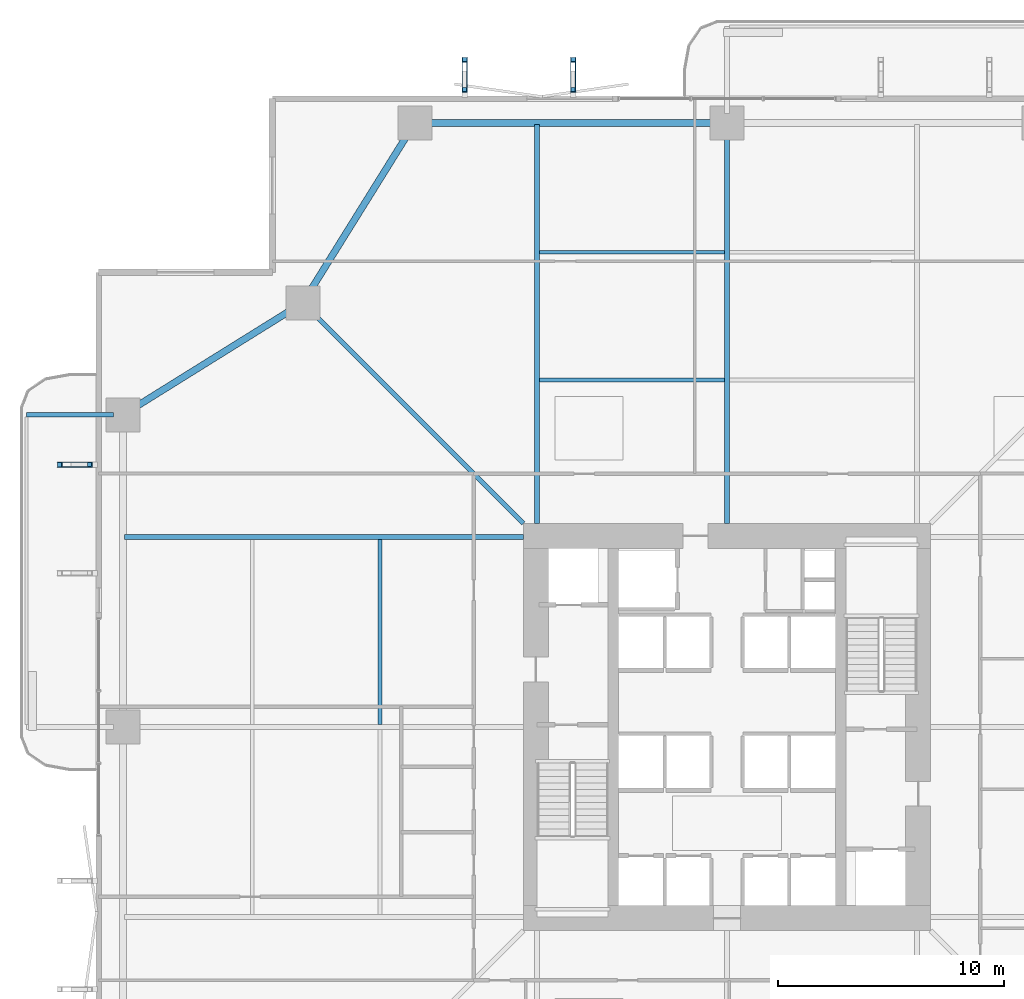
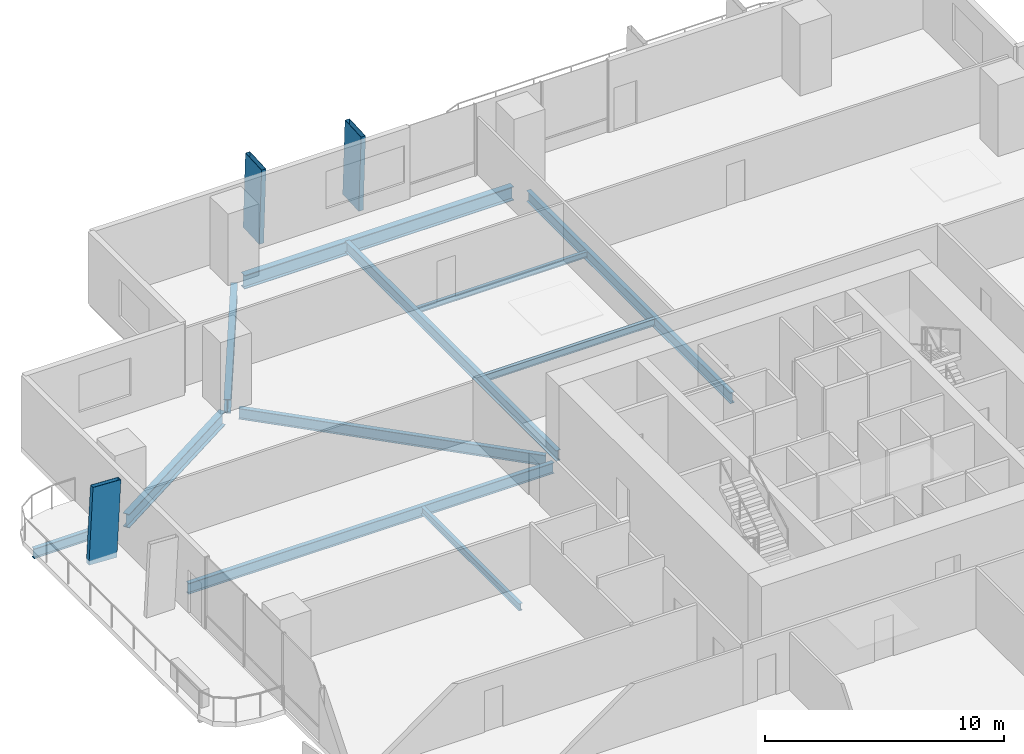
# One storey, part 10 of 23: 11 beams, 3 members.
"""IFC4 building model written with IfcOpenShell, lengths in metres."""

import ifcopenshell
import ifcopenshell.guid

model = None  # the IFC model being written
_history = None  # IfcOwnerHistory: only IFC2X3 demands one
_inside = {}  # id of a spatial element -> (the spatial element, [elements in it])
_under = {}  # id of a project, library or spatial element -> (it, [spatial elements below it])
_declared = {}  # id of a project -> (the project, [libraries it declares])
_typed = {}  # id of a type object -> (the type object, [elements of that type])
_made_of = {}  # id of a material, layer set ... -> (it, [elements and type objects made of it])


def new_model(schema):
    """Start an empty IFC model of exactly this schema.

    Asked for "IFC4X3", IfcOpenShell would pick the latest addendum, in which some entities
    have other attributes; the version numbers below select the first issue.
    IFC2X3 requires an IfcOwnerHistory on every rooted entity: one is made here for all.
    """
    global model, _history
    if schema == "IFC4X3":
        model = ifcopenshell.file(schema_version=(4, 3, 0, 0))
    else:
        model = ifcopenshell.file(schema=schema)
    _inside.clear()
    _under.clear()
    _declared.clear()
    _typed.clear()
    _made_of.clear()
    _history = None
    if model.schema == "IFC2X3":
        org = make("IfcOrganization", Name="unknown")
        user = make(
            "IfcPersonAndOrganization",
            ThePerson=make("IfcPerson", FamilyName="unknown"),
            TheOrganization=org,
        )
        app = make(
            "IfcApplication",
            ApplicationDeveloper=org,
            Version="unknown",
            ApplicationFullName="unknown",
            ApplicationIdentifier="unknown",
        )
        _history = make(
            "IfcOwnerHistory",
            OwningUser=user,
            OwningApplication=app,
            ChangeAction="ADDED",
            CreationDate=0,
        )
    return model


def make(cls, **values):
    """One entity of the class cls with the attributes given. An attribute that is None is left unset."""
    return model.create_entity(
        cls, **{name: value for name, value in values.items() if value is not None}
    )


def rooted(cls, **values):
    """An entity with a GlobalId (a new one), such as an element, a storey or a relation."""
    return make(cls, GlobalId=ifcopenshell.guid.new(), OwnerHistory=_history, **values)


def si_unit(unit_type, name, prefix=None):
    """IfcSIUnit, for example si_unit("LENGTHUNIT", "METRE", prefix="MILLI")."""
    return make("IfcSIUnit", UnitType=unit_type, Prefix=prefix, Name=name)


def assignment(units):
    """IfcUnitAssignment: the units of a project."""
    return None if units is None else make("IfcUnitAssignment", Units=units)


def point(xyz):
    """IfcCartesianPoint."""
    return None if xyz is None else make("IfcCartesianPoint", Coordinates=xyz)


def direction(xyz):
    """IfcDirection."""
    return None if xyz is None else make("IfcDirection", DirectionRatios=xyz)


def frame(location, z_axis=None, x_axis=None):
    """IfcAxis2Placement3D, a coordinate frame: its origin and axes. An axis left out is left unset."""
    return make(
        "IfcAxis2Placement3D",
        Location=point(location),
        Axis=direction(z_axis),
        RefDirection=direction(x_axis),
    )


def frame_2d(location, x_axis=None):
    """IfcAxis2Placement2D, a coordinate frame in the plane: its origin and x axis."""
    return make(
        "IfcAxis2Placement2D", Location=point(location), RefDirection=direction(x_axis)
    )


def origin():
    """The frame at (0, 0, 0) with its axes left unset."""
    return frame((0.0, 0.0, 0.0))


def origin_2d():
    """The frame at (0, 0) in the plane with its x axis left unset."""
    return frame_2d((0.0, 0.0))


def place(relative_to, where):
    """IfcLocalPlacement: puts the frame where relative to a parent placement (None: the world)."""
    return make(
        "IfcLocalPlacement", PlacementRelTo=relative_to, RelativePlacement=where
    )


def context(
    kind, dimensions, precision=None, world=None, true_north=None, identifier=None
):
    """IfcGeometricRepresentationContext, for example the 3D "Model" context."""
    return make(
        "IfcGeometricRepresentationContext",
        ContextIdentifier=identifier,
        ContextType=kind,
        CoordinateSpaceDimension=dimensions,
        Precision=precision,
        WorldCoordinateSystem=world,
        TrueNorth=true_north,
    )


def subcontext(parent, identifier, kind, view, scale=None):
    """IfcGeometricRepresentationSubContext, for example "Body" below "Model"."""
    return make(
        "IfcGeometricRepresentationSubContext",
        ContextIdentifier=identifier,
        ContextType=kind,
        ParentContext=parent,
        TargetScale=scale,
        TargetView=view,
    )


def project(units=None, contexts=None):
    """IfcProject with its units and contexts."""
    return rooted(
        "IfcProject",
        Name="project",
        RepresentationContexts=contexts,
        UnitsInContext=assignment(units),
    )


def spatial(cls, under=None, at=None, **own):
    """A site, building, storey or space (cls), placed at a placement, below another one or the project."""
    s = rooted(cls, ObjectPlacement=at, **own)
    if under is not None:
        _under.setdefault(under.id(), (under, []))[1].append(s)
    return s


def profile(cls, at=None, kind="AREA", **sizes):
    """A parametric profile (cls). Its sizes go by their IFC names, for example OverallWidth=200.0."""
    return make(cls, ProfileType=kind, Position=at, **sizes)


def hollow_rectangle(**sizes):
    """IfcRectangleHollowProfileDef."""
    return profile("IfcRectangleHollowProfileDef", **sizes)


def i_section(**sizes):
    """IfcIShapeProfileDef."""
    return profile("IfcIShapeProfileDef", **sizes)


def extrude(swept, where, along, depth):
    """IfcExtrudedAreaSolid: the profile swept, set in the frame where, extruded along a direction by depth."""
    return make(
        "IfcExtrudedAreaSolid",
        SweptArea=swept,
        Position=where,
        ExtrudedDirection=direction(along),
        Depth=depth,
    )


def shape(context_of_items, identifier, shape_type, items):
    """IfcShapeRepresentation: the items that make up one representation, for example the "Body"."""
    return make(
        "IfcShapeRepresentation",
        ContextOfItems=context_of_items,
        RepresentationIdentifier=identifier,
        RepresentationType=shape_type,
        Items=items,
    )


def material(Name=None, Category=None):
    """IfcMaterial."""
    return make("IfcMaterial", Name=Name, Category=Category)


def material_profile(
    of_material, cross_section, Name=None, Category=None, Priority=None
):
    """IfcMaterialProfile: a cross section and its material."""
    return make(
        "IfcMaterialProfile",
        Name=Name,
        Material=of_material,
        Profile=cross_section,
        Priority=Priority,
        Category=Category,
    )


def profile_set(profiles, Name=None, composite=None):
    """IfcMaterialProfileSet."""
    return make(
        "IfcMaterialProfileSet",
        Name=Name,
        MaterialProfiles=profiles,
        CompositeProfile=composite,
    )


def made_of(thing, what):
    """Note that an element or type object is made of a material, layer set ...; save() writes the relation."""
    if what is not None:
        _made_of.setdefault(what.id(), (what, []))[1].append(thing)
    return thing


def type_object(cls, material=None, **own):
    """A type object (cls), such as IfcWallType, which elements share."""
    return made_of(rooted(cls, **own), material)


def element(
    cls,
    number,
    at=None,
    inside=None,
    cuts=None,
    type_object=None,
    material=None,
    context=None,
    identifier="Body",
    shape_type=None,
    held_by="IfcProductDefinitionShape",
    body=None,
    shapes=None,
    **own,
):
    """One element of the class cls, such as IfcWall. Its Tag is "e" and its number.

    at: its placement. inside: the storey or other place that contains it. cuts: it is an
    opening in that element (IfcRelVoidsElement). A single representation is given by context,
    identifier, shape_type and body (its items); several are given by shapes. held_by: the class
    of the entity that holds the representations. save() writes the other relations.
    """
    e = rooted(cls, Tag="e%d" % number, ObjectPlacement=at, **own)
    if body is not None:
        shapes = [shape(context, identifier, shape_type, body)]
    if shapes is not None:
        e.Representation = make(held_by, Representations=shapes)
    if inside is not None:
        _inside.setdefault(inside.id(), (inside, []))[1].append(e)
    if cuts is not None:
        rooted(
            "IfcRelVoidsElement", RelatingBuildingElement=cuts, RelatedOpeningElement=e
        )
    if type_object is not None:
        _typed.setdefault(type_object.id(), (type_object, []))[1].append(e)
    return made_of(e, material)


def aggregate(whole, parts):
    """IfcRelAggregates: a whole, such as a stair, and the parts it consists of."""
    return rooted("IfcRelAggregates", RelatingObject=whole, RelatedObjects=parts)


def save(model, path):
    """Write the relations noted so far, then the file.

    IfcRelAggregates (storeys below a building ...), IfcRelContainedInSpatialStructure (elements
    in a storey), IfcRelDefinesByType, IfcRelAssociatesMaterial and IfcRelDeclares: one each for
    every whole, place, type object, material and project.
    """
    for whole, parts in _under.values():
        aggregate(whole, parts)
    for where, things in _inside.values():
        rooted(
            "IfcRelContainedInSpatialStructure",
            RelatedElements=things,
            RelatingStructure=where,
        )
    for kind, things in _typed.values():
        rooted("IfcRelDefinesByType", RelatedObjects=things, RelatingType=kind)
    for what, things in _made_of.values():
        rooted("IfcRelAssociatesMaterial", RelatedObjects=things, RelatingMaterial=what)
    for by, libraries in _declared.values():
        rooted("IfcRelDeclares", RelatingContext=by, RelatedDefinitions=libraries)
    model.write(path)


model = new_model("IFC4")

# Units and contexts
model_context = context("Model", 3, precision=1e-05, world=origin(), true_north=direction((0.0, 1.0)))
body_context = subcontext(model_context, "Body", "Model", "MODEL_VIEW")
ifc_project = project(units=[si_unit("LENGTHUNIT", "METRE"), si_unit("AREAUNIT", "SQUARE_METRE"), si_unit("VOLUMEUNIT", "CUBIC_METRE"), si_unit("PLANEANGLEUNIT", "RADIAN"), si_unit("MASSUNIT", "GRAM", prefix="KILO")], contexts=[model_context])

# Site, building, storey
site_placement = place(None, origin())
site = spatial("IfcSite", under=ifc_project, at=site_placement, CompositionType="ELEMENT")
building_placement = place(site_placement, origin())
building = spatial("IfcBuilding", under=site, at=building_placement, Name="Belovzor Exchange Tower", CompositionType="ELEMENT")
storey_placement = place(building_placement, frame((0.0, 0.0, 76.800048828125)))
storey = spatial("IfcBuildingStorey", under=building, at=storey_placement, Name="L18", CompositionType="ELEMENT", Elevation=76.800048828125)

# Members
ifc_material_1 = material(Name="Extruded Architectural Terracotta on Steel S355 Carrier", Category="masonry")
ifc_material_profile_1 = material_profile(ifc_material_1, hollow_rectangle(XDim=0.219970703125, YDim=1.35009765625, WallThickness=0.013916015625, at=origin_2d()))
ifc_profile_set_1 = profile_set([ifc_material_profile_1], Name="Extruded Architectural Terracotta on Steel S355 Carrier")
member_type = type_object("IfcMemberType", Name="Base Arc Sweeping Terracotta Pylon Fin 1450", PredefinedType="USERDEFINED", material=ifc_profile_set_1)
for number, where, z_axis, x_axis, name in (
    (1, (17.199951171875, 57.72607421875, -0.25), (0.0, -0.050704695274, 0.998713689641), (1.0, 0.0, 0.0), "FIN-TC145 Terracotta Facade Fin L18 N1"),
    (2, (22.0, 57.72607421875, -0.25), (0.0, -0.050704695274, 0.998713689641), (1.0, 0.0, 0.0), "FIN-TC145 Terracotta Facade Fin L18 N2"),
    (3, (-0.1259765625, 40.39990234375, -0.25), (0.050704695274, 0.0, 0.998713689641), (0.0, 1.0, 0.0), "FIN-TC145 Terracotta Facade Fin L18 W4"),
):
    element("IfcMember", number, at=place(storey_placement, frame(where, z_axis=z_axis, x_axis=x_axis)), inside=storey, type_object=member_type, Name=name, ObjectType="FIN", PredefinedType="USERDEFINED", context=body_context, shape_type="SweptSolid", body=[
        extrude(hollow_rectangle(XDim=0.219970703125, YDim=1.35009765625, WallThickness=0.013916015625, at=origin_2d()), origin(), (0.0, 0.0, 1.0), 3.905029296875),
    ])

# Beams
ifc_material_2 = material(Name="Steel S355", Category="steel")
ifc_material_profile_2 = material_profile(ifc_material_2, i_section(OverallWidth=0.199951171875, OverallDepth=0.5, WebThickness=0.01025390625, FlangeThickness=0.01611328125, at=origin_2d()))
ifc_profile_set_2 = profile_set([ifc_material_profile_2], Name="Steel S355")
beam_type_1 = type_object("IfcBeamType", Name="Planted Balcony Cantilever Beam IPE 500", PredefinedType="BEAM", material=ifc_profile_set_2)
beam_1_placement = place(storey_placement, frame((1.68798828125, 42.60009765625, -0.5), z_axis=(-1.0, 0.0, 0.0), x_axis=(0.0, -1.0, 0.0)))
element("IfcBeam", 4, at=beam_1_placement, inside=storey, type_object=beam_type_1, Name="BC-500 Planted Balcony Cantilever Beam IPE 500", PredefinedType="BEAM", context=body_context, shape_type="SweptSolid", body=[
    extrude(i_section(OverallWidth=0.199951171875, OverallDepth=0.5, WebThickness=0.01025390625, FlangeThickness=0.01611328125, at=origin_2d()), origin(), (0.0, 0.0, 1.0), 3.85009765625),
])
ifc_material_3 = material(Name="Steel S355", Category="steel")
ifc_material_profile_3 = material_profile(ifc_material_3, i_section(OverallWidth=0.169921875, OverallDepth=0.360107421875, WebThickness=0.008056640625, FlangeThickness=0.0126953125, at=origin_2d()))
ifc_profile_set_3 = profile_set([ifc_material_profile_3], Name="Steel S355")
beam_type_2 = type_object("IfcBeamType", Name="Secondary Infill Floor Joist IPE 360", PredefinedType="BEAM", material=ifc_profile_set_3)
beam_2_placement = place(storey_placement, frame((20.5048828125, 44.14501953125, -0.429931640625), z_axis=(1.0, 0.0, 0.0), x_axis=(0.0, 1.0, 0.0)))
element("IfcBeam", 5, at=beam_2_placement, inside=storey, type_object=beam_type_2, Name="FJ-360 Secondary Infill Floor Joist IPE 360", PredefinedType="BEAM", context=body_context, shape_type="SweptSolid", body=[
    extrude(i_section(OverallWidth=0.169921875, OverallDepth=0.360107421875, WebThickness=0.008056640625, FlangeThickness=0.0126953125, at=origin_2d()), origin(), (0.0, 0.0, 1.0), 8.190185546875),
])
beam_3_placement = place(storey_placement, frame((13.455078125, 28.905029296875, -0.429931640625), z_axis=(0.0, 1.0, 0.0), x_axis=(-1.0, 0.0, 0.0)))
element("IfcBeam", 6, at=beam_3_placement, inside=storey, type_object=beam_type_2, Name="FJ-360 Secondary Infill Floor Joist IPE 360", PredefinedType="BEAM", context=body_context, shape_type="SweptSolid", body=[
    extrude(i_section(OverallWidth=0.169921875, OverallDepth=0.360107421875, WebThickness=0.008056640625, FlangeThickness=0.0126953125, at=origin_2d()), origin(), (0.0, 0.0, 1.0), 8.18994140625),
])
ifc_material_4 = material(Name="Steel S355", Category="steel")
ifc_material_profile_4 = material_profile(ifc_material_4, i_section(OverallWidth=0.14990234375, OverallDepth=0.300048828125, WebThickness=0.007080078125, FlangeThickness=0.0107421875, at=origin_2d()))
ifc_profile_set_4 = profile_set([ifc_material_profile_4], Name="Steel S355")
beam_type_3 = type_object("IfcBeamType", Name="Secondary Trim Floor Joist IPE 300", PredefinedType="BEAM", material=ifc_profile_set_4)
beam_4_placement = place(storey_placement, frame((20.5048828125, 49.784912109375, -0.400146484375), z_axis=(1.0, 0.0, 0.0), x_axis=(0.0, 1.0, 0.0)))
element("IfcBeam", 7, at=beam_4_placement, inside=storey, type_object=beam_type_3, Name="FJ-300 Secondary Trim Floor Joist IPE 300", PredefinedType="BEAM", context=body_context, shape_type="SweptSolid", body=[
    extrude(i_section(OverallWidth=0.14990234375, OverallDepth=0.300048828125, WebThickness=0.007080078125, FlangeThickness=0.0107421875, at=origin_2d()), origin(), (0.0, 0.0, 1.0), 8.190185546875),
])
ifc_material_5 = material(Name="Steel S355", Category="steel")
ifc_material_profile_5 = material_profile(ifc_material_5, i_section(OverallWidth=0.300048828125, OverallDepth=0.699951171875, WebThickness=0.01708984375, FlangeThickness=0.031982421875, at=origin_2d()))
ifc_profile_set_5 = profile_set([ifc_material_profile_5], Name="Steel S355")
beam_type_4 = type_object("IfcBeamType", Name="Zone 1 Primary Perimeter Girder HEB 700", PredefinedType="BEAM", material=ifc_profile_set_5)
beam_5_placement = place(storey_placement, frame((28.386962890625, 55.5, -0.60009765625), z_axis=(-1.0, 0.0, 0.0), x_axis=(0.0, -1.0, 0.0)))
element("IfcBeam", 8, at=beam_5_placement, inside=storey, type_object=beam_type_4, Name="FG-Z1 Zone 1 Primary Perimeter Girder HEB 700", PredefinedType="BEAM", context=body_context, shape_type="SweptSolid", body=[
    extrude(i_section(OverallWidth=0.300048828125, OverallDepth=0.699951171875, WebThickness=0.01708984375, FlangeThickness=0.031982421875, at=origin_2d()), origin(), (0.0, 0.0, 1.0), 12.974853515625),
])
for number, where, z_axis, x_axis, name in (
    (9, (14.781982421875, 55.14990234375, -0.60009765625), (-0.528538629686, -0.848909251292, 0.0), (0.848909251292, -0.528538629686, 0.0), "FG-Z1 Zone 1 Primary Perimeter Girder HEB 700"),
    (10, (9.699951171875, 47.33203125, -0.60009765625), (-0.848909251292, -0.528538629686, 0.0), (0.528538629686, -0.848909251292, 0.0), "FG-Z1 Zone 1 Primary Perimeter Girder HEB 700"),
):
    element("IfcBeam", number, at=place(storey_placement, frame(where, z_axis=z_axis, x_axis=x_axis)), inside=storey, type_object=beam_type_4, Name=name, PredefinedType="BEAM", context=body_context, shape_type="SweptSolid", body=[
        extrude(i_section(OverallWidth=0.300048828125, OverallDepth=0.699951171875, WebThickness=0.01708984375, FlangeThickness=0.031982421875, at=origin_2d()), origin(), (0.0, 0.0, 1.0), 8.540283203125),
    ])
ifc_material_6 = material(Name="Steel S355", Category="steel")
ifc_material_profile_6 = material_profile(ifc_material_6, i_section(OverallWidth=0.2099609375, OverallDepth=0.550048828125, WebThickness=0.010986328125, FlangeThickness=0.01708984375, at=origin_2d()))
ifc_profile_set_6 = profile_set([ifc_material_profile_6], Name="Steel S355")
beam_type_5 = type_object("IfcBeamType", Name="Zone 1 Radial Composite Floor Beam IPE 550", PredefinedType="BEAM", material=ifc_profile_set_6)
beam_6_placement = place(storey_placement, frame((20.39990234375, 37.800048828125, -0.525146484375), z_axis=(0.0, 1.0, 0.0), x_axis=(-1.0, 0.0, 0.0)))
element("IfcBeam", 11, at=beam_6_placement, inside=storey, type_object=beam_type_5, Name="FB-550 Zone 1 Radial Composite Floor Beam IPE 550", PredefinedType="BEAM", context=body_context, shape_type="SweptSolid", body=[
    extrude(i_section(OverallWidth=0.2099609375, OverallDepth=0.550048828125, WebThickness=0.010986328125, FlangeThickness=0.01708984375, at=origin_2d()), origin(), (0.0, 0.0, 1.0), 17.625),
])
beam_7_placement = place(storey_placement, frame((28.800048828125, 37.800048828125, -0.525146484375), z_axis=(0.0, 1.0, 0.0), x_axis=(-1.0, 0.0, 0.0)))
element("IfcBeam", 12, at=beam_7_placement, inside=storey, type_object=beam_type_5, Name="FB-550 Zone 1 Radial Composite Floor Beam IPE 550", PredefinedType="BEAM", context=body_context, shape_type="SweptSolid", body=[
    extrude(i_section(OverallWidth=0.2099609375, OverallDepth=0.550048828125, WebThickness=0.010986328125, FlangeThickness=0.01708984375, at=origin_2d()), origin(), (0.0, 0.0, 1.0), 17.0400390625),
])
beam_8_placement = place(storey_placement, frame((19.800048828125, 37.199951171875, -0.525146484375), z_axis=(-1.0, 0.0, 0.0), x_axis=(0.0, -1.0, 0.0)))
element("IfcBeam", 13, at=beam_8_placement, inside=storey, type_object=beam_type_5, Name="FB-550 Zone 1 Radial Composite Floor Beam IPE 550", PredefinedType="BEAM", context=body_context, shape_type="SweptSolid", body=[
    extrude(i_section(OverallWidth=0.2099609375, OverallDepth=0.550048828125, WebThickness=0.010986328125, FlangeThickness=0.01708984375, at=origin_2d()), origin(), (0.0, 0.0, 1.0), 17.625),
])
beam_9_placement = place(storey_placement, frame((19.800048828125, 37.800048828125, -0.525146484375), z_axis=(-0.707106781187, 0.707106781187, 0.0), x_axis=(-0.707106781187, -0.707106781187, 0.0)))
element("IfcBeam", 14, at=beam_9_placement, inside=storey, type_object=beam_type_5, Name="FB-550 Zone 1 Radial Composite Floor Beam IPE 550", PredefinedType="BEAM", context=body_context, shape_type="SweptSolid", body=[
    extrude(i_section(OverallWidth=0.2099609375, OverallDepth=0.550048828125, WebThickness=0.010986328125, FlangeThickness=0.01708984375, at=origin_2d()), origin(), (0.0, 0.0, 1.0), 13.25830078125),
])

save(model, "model.ifc")
